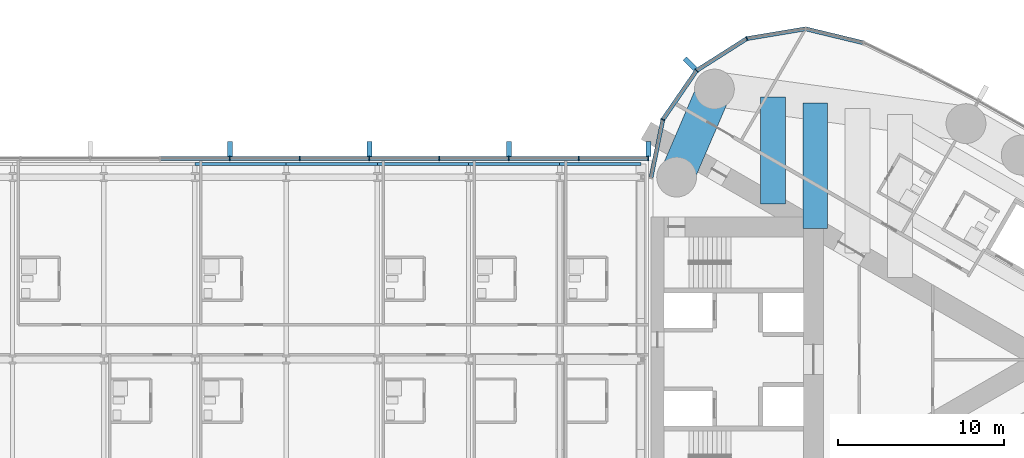
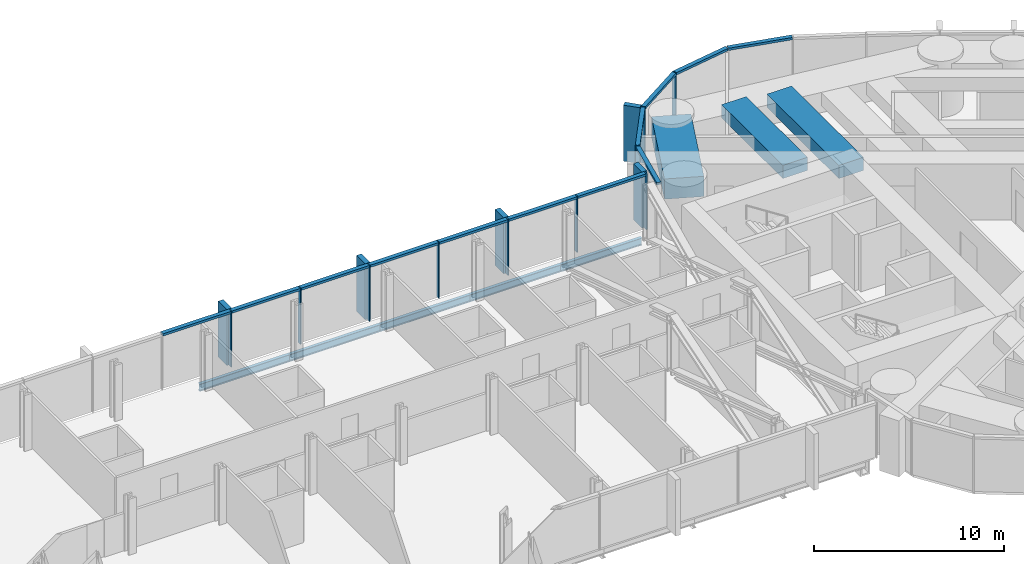
# One storey, part 11 of 24: 27 members, 8 beams, 2 elements without a shape of their own.
"""IFC4 building model written with IfcOpenShell, lengths in metres."""

from ifc_helpers import new_model, si_unit, direction, frame, origin, origin_2d, place, context, subcontext, project, spatial, rectangle, i_section, extrude, material, material_profile, profile_set, type_object, element, aggregate, save


model = new_model("IFC4")

# Units and contexts
model_context = context("Model", 3, precision=1e-05, world=origin(), true_north=direction((0.0, 1.0)))
body_context = subcontext(model_context, "Body", "Model", "MODEL_VIEW")
ifc_project = project(units=[si_unit("LENGTHUNIT", "METRE"), si_unit("AREAUNIT", "SQUARE_METRE"), si_unit("VOLUMEUNIT", "CUBIC_METRE"), si_unit("PLANEANGLEUNIT", "RADIAN"), si_unit("MASSUNIT", "GRAM", prefix="KILO")], contexts=[model_context])

# Site, building, storey
site_placement = place(None, origin())
site = spatial("IfcSite", under=ifc_project, at=site_placement, CompositionType="ELEMENT")
building_placement = place(site_placement, origin())
building = spatial("IfcBuilding", under=site, at=building_placement, Name="Lancet Gate Hotel", CompositionType="ELEMENT")
storey_placement = place(building_placement, frame((0.0, 0.0, 244.10009765625)))
storey = spatial("IfcBuildingStorey", under=building, at=storey_placement, Name="L65", CompositionType="ELEMENT", Elevation=244.10009765625)

# Curtain wall, members
ifc_material_1 = material(Name="Aluminium curtain wall", Category="aluminium")
curtain_wall_type_1 = type_object("IfcCurtainWallType", Name="Tower unitised curtain wall", PredefinedType="USERDEFINED", material=ifc_material_1)
curtain_wall_1_placement = place(storey_placement, origin())
curtain_wall_1 = element("IfcCurtainWall", 1, at=curtain_wall_1_placement, inside=storey, type_object=curtain_wall_type_1, Name="T2 L65 curtain wall 1", ObjectType="UNITISED CURTAIN WALL", PredefinedType="USERDEFINED")
ifc_material_2 = material(Name="Aluminium mullion", Category="aluminium")
ifc_material_profile_1 = material_profile(ifc_material_2, rectangle(XDim=0.06494140625, YDim=0.25, at=origin_2d()), Name="MULLION 65x250")
ifc_profile_set_1 = profile_set([ifc_material_profile_1], Name="Aluminium mullion")
member_type_1 = type_object("IfcMemberType", Name="Aluminium mullion 65x250", PredefinedType="MULLION", material=ifc_profile_set_1)
member_1_placement = place(storey_placement, frame((33.283203125, 19.353515625, 0.0), z_axis=(0.0, 0.0, 1.0), x_axis=(-0.93394321776, -0.357421412343, 0.0)))
member_1 = element("IfcMember", 2, at=member_1_placement, type_object=member_type_1, Name="T2 L65 curtain wall 1 mullion 24", PredefinedType="MULLION", context=body_context, shape_type="SweptSolid", body=[
    extrude(rectangle(XDim=0.06494140625, YDim=0.25, at=origin_2d()), origin(), (0.0, 0.0, 1.0), 3.599853515625),
])
member_2_placement = place(storey_placement, frame((30.25244140625, 17.42626953125, 0.0), z_axis=(0.0, 0.0, 1.0), x_axis=(-0.719809077627, -0.694172090886, 0.0)))
member_2 = element("IfcMember", 3, at=member_2_placement, type_object=member_type_1, Name="T2 L65 curtain wall 1 mullion 25", PredefinedType="MULLION", context=body_context, shape_type="SweptSolid", body=[
    extrude(rectangle(XDim=0.06494140625, YDim=0.25, at=origin_2d()), origin(), (0.0, 0.0, 1.0), 3.599853515625),
])
member_3_placement = place(storey_placement, frame((28.216552734375, 14.467529296875, 0.0), z_axis=(0.0, 0.0, 1.0), x_axis=(-0.391042139098, -0.920372775265, 0.0)))
member_3 = element("IfcMember", 4, at=member_3_placement, type_object=member_type_1, Name="T2 L65 curtain wall 1 mullion 26", PredefinedType="MULLION", context=body_context, shape_type="SweptSolid", body=[
    extrude(rectangle(XDim=0.06494140625, YDim=0.25, at=origin_2d()), origin(), (0.0, 0.0, 1.0), 3.599853515625),
])

ifc_material_3 = material(Name="Aluminium curtain wall", Category="aluminium")
curtain_wall_type_2 = type_object("IfcCurtainWallType", Name="Bridge block curtain wall", PredefinedType="USERDEFINED", material=ifc_material_3)
curtain_wall_2_placement = place(storey_placement, origin())
curtain_wall_2 = element("IfcCurtainWall", 5, at=curtain_wall_2_placement, inside=storey, type_object=curtain_wall_type_2, Name="Bridge block L65 curtain wall N", ObjectType="UNITISED CURTAIN WALL", PredefinedType="USERDEFINED")
member_4_placement = place(storey_placement, frame((27.35009765625, 12.1201171875, 0.0), z_axis=(0.0, 0.0, 1.0), x_axis=(-1.0, 0.0, 0.0)))
member_4 = element("IfcMember", 6, at=member_4_placement, type_object=member_type_1, Name="Bridge block L65 curtain wall N mullion 1", PredefinedType="MULLION", context=body_context, shape_type="SweptSolid", body=[
    extrude(rectangle(XDim=0.06494140625, YDim=0.25, at=origin_2d()), origin(), (0.0, 0.0, 1.0), 3.599853515625),
])
member_5_placement = place(storey_placement, frame((23.142333984375, 12.1201171875, 0.0), z_axis=(0.0, 0.0, 1.0), x_axis=(-1.0, 0.0, 0.0)))
member_5 = element("IfcMember", 7, at=member_5_placement, type_object=member_type_1, Name="Bridge block L65 curtain wall N mullion 2", PredefinedType="MULLION", context=body_context, shape_type="SweptSolid", body=[
    extrude(rectangle(XDim=0.06494140625, YDim=0.25, at=origin_2d()), origin(), (0.0, 0.0, 1.0), 3.599853515625),
])
member_6_placement = place(storey_placement, frame((18.9345703125, 12.1201171875, 0.0), z_axis=(0.0, 0.0, 1.0), x_axis=(-1.0, 0.0, 0.0)))
member_6 = element("IfcMember", 8, at=member_6_placement, type_object=member_type_1, Name="Bridge block L65 curtain wall N mullion 3", PredefinedType="MULLION", context=body_context, shape_type="SweptSolid", body=[
    extrude(rectangle(XDim=0.06494140625, YDim=0.25, at=origin_2d()), origin(), (0.0, 0.0, 1.0), 3.599853515625),
])
member_7_placement = place(storey_placement, frame((14.726806640625, 12.1201171875, 0.0), z_axis=(0.0, 0.0, 1.0), x_axis=(-1.0, 0.0, 0.0)))
member_7 = element("IfcMember", 9, at=member_7_placement, type_object=member_type_1, Name="Bridge block L65 curtain wall N mullion 4", PredefinedType="MULLION", context=body_context, shape_type="SweptSolid", body=[
    extrude(rectangle(XDim=0.06494140625, YDim=0.25, at=origin_2d()), origin(), (0.0, 0.0, 1.0), 3.599853515625),
])
member_8_placement = place(storey_placement, frame((10.519287109375, 12.1201171875, 0.0), z_axis=(0.0, 0.0, 1.0), x_axis=(-1.0, 0.0, 0.0)))
member_8 = element("IfcMember", 10, at=member_8_placement, type_object=member_type_1, Name="Bridge block L65 curtain wall N mullion 5", PredefinedType="MULLION", context=body_context, shape_type="SweptSolid", body=[
    extrude(rectangle(XDim=0.06494140625, YDim=0.25, at=origin_2d()), origin(), (0.0, 0.0, 1.0), 3.599853515625),
])
member_9_placement = place(storey_placement, frame((6.3115234375, 12.1201171875, 0.0), z_axis=(0.0, 0.0, 1.0), x_axis=(-1.0, 0.0, 0.0)))
member_9 = element("IfcMember", 11, at=member_9_placement, type_object=member_type_1, Name="Bridge block L65 curtain wall N mullion 6", PredefinedType="MULLION", context=body_context, shape_type="SweptSolid", body=[
    extrude(rectangle(XDim=0.06494140625, YDim=0.25, at=origin_2d()), origin(), (0.0, 0.0, 1.0), 3.599853515625),
])
member_10_placement = place(storey_placement, frame((2.103759765625, 12.1201171875, 0.0), z_axis=(0.0, 0.0, 1.0), x_axis=(-1.0, 0.0, 0.0)))
member_10 = element("IfcMember", 12, at=member_10_placement, type_object=member_type_1, Name="Bridge block L65 curtain wall N mullion 7", PredefinedType="MULLION", context=body_context, shape_type="SweptSolid", body=[
    extrude(rectangle(XDim=0.06494140625, YDim=0.25, at=origin_2d()), origin(), (0.0, 0.0, 1.0), 3.599853515625),
])

# Member
ifc_material_4 = material(Name="Aluminium transom", Category="aluminium")
ifc_material_profile_2 = material_profile(ifc_material_4, rectangle(XDim=0.25, YDim=0.14990234375, at=origin_2d()), Name="TRANSOM 250x150")
ifc_profile_set_2 = profile_set([ifc_material_profile_2], Name="Aluminium transom")
member_type_2 = type_object("IfcMemberType", Name="Aluminium transom 250x150", PredefinedType="USERDEFINED", material=ifc_profile_set_2)
member_11_placement = place(storey_placement, frame((40.28564453125, 19.10595703125, 3.52490234375), z_axis=(-0.972002653858, 0.234969872307, 0.0), x_axis=(-0.234969872307, -0.972002653858, 0.0)))
member_11 = element("IfcMember", 13, at=member_11_placement, type_object=member_type_2, Name="T2 L65 curtain wall 1 transom 22", ObjectType="TRANSOM", PredefinedType="USERDEFINED", context=body_context, shape_type="SweptSolid", body=[
    extrude(rectangle(XDim=0.25, YDim=0.14990234375, at=origin_2d()), origin(), (0.0, 0.0, 1.0), 3.5263671875),
])

member_12_placement = place(storey_placement, frame((36.794189453125, 19.936767578125, 3.52490234375), z_axis=(-0.986483584545, -0.163860115412, 0.0), x_axis=(0.163860115412, -0.986483584545, 0.0)))
member_12 = element("IfcMember", 14, at=member_12_placement, type_object=member_type_2, Name="T2 L65 curtain wall 1 transom 23", ObjectType="TRANSOM", PredefinedType="USERDEFINED", context=body_context, shape_type="SweptSolid", body=[
    extrude(rectangle(XDim=0.25, YDim=0.14990234375, at=origin_2d()), origin(), (0.0, 0.0, 1.0), 3.526611328125),
])

member_13_placement = place(storey_placement, frame((33.255859375, 19.336181640625, 3.52490234375), z_axis=(-0.84385811281, -0.536566384938, 0.0), x_axis=(0.536566384938, -0.84385811281, 0.0)))
member_13 = element("IfcMember", 15, at=member_13_placement, type_object=member_type_2, Name="T2 L65 curtain wall 1 transom 24", ObjectType="TRANSOM", PredefinedType="USERDEFINED", context=body_context, shape_type="SweptSolid", body=[
    extrude(rectangle(XDim=0.25, YDim=0.14990234375, at=origin_2d()), origin(), (0.0, 0.0, 1.0), 3.52685546875),
])

member_14_placement = place(storey_placement, frame((30.234130859375, 17.399658203125, 3.52490234375), z_axis=(-0.566813768052, -0.82384595183, 0.0), x_axis=(0.82384595183, -0.566813768052, 0.0)))
member_14 = element("IfcMember", 16, at=member_14_placement, type_object=member_type_2, Name="T2 L65 curtain wall 1 transom 25", ObjectType="TRANSOM", PredefinedType="USERDEFINED", context=body_context, shape_type="SweptSolid", body=[
    extrude(rectangle(XDim=0.25, YDim=0.14990234375, at=origin_2d()), origin(), (0.0, 0.0, 1.0), 3.52685546875),
])

member_15_placement = place(storey_placement, frame((28.210205078125, 14.435546875, 3.52490234375), z_axis=(-0.19952323725, -0.979893095086, 0.0), x_axis=(0.979893095086, -0.19952323725, 0.0)))
member_15 = element("IfcMember", 17, at=member_15_placement, type_object=member_type_2, Name="T2 L65 curtain wall 1 transom 26", ObjectType="TRANSOM", PredefinedType="USERDEFINED", context=body_context, shape_type="SweptSolid", body=[
    extrude(rectangle(XDim=0.25, YDim=0.14990234375, at=origin_2d()), origin(), (0.0, 0.0, 1.0), 3.5263671875),
])

member_16_placement = place(storey_placement, frame((27.3173828125, 12.1201171875, 3.52490234375), z_axis=(-1.0, 0.0, 0.0), x_axis=(0.0, -1.0, 0.0)))
member_16 = element("IfcMember", 18, at=member_16_placement, type_object=member_type_2, Name="Bridge block L65 curtain wall N transom 1", ObjectType="TRANSOM", PredefinedType="USERDEFINED", context=body_context, shape_type="SweptSolid", body=[
    extrude(rectangle(XDim=0.25, YDim=0.14990234375, at=origin_2d()), origin(), (0.0, 0.0, 1.0), 4.142578125),
])

member_17_placement = place(storey_placement, frame((23.10986328125, 12.1201171875, 3.52490234375), z_axis=(-1.0, 0.0, 0.0), x_axis=(0.0, -1.0, 0.0)))
member_17 = element("IfcMember", 19, at=member_17_placement, type_object=member_type_2, Name="Bridge block L65 curtain wall N transom 2", ObjectType="TRANSOM", PredefinedType="USERDEFINED", context=body_context, shape_type="SweptSolid", body=[
    extrude(rectangle(XDim=0.25, YDim=0.14990234375, at=origin_2d()), origin(), (0.0, 0.0, 1.0), 4.142822265625),
])

member_18_placement = place(storey_placement, frame((18.902099609375, 12.1201171875, 3.52490234375), z_axis=(-1.0, 0.0, 0.0), x_axis=(0.0, -1.0, 0.0)))
member_18 = element("IfcMember", 20, at=member_18_placement, type_object=member_type_2, Name="Bridge block L65 curtain wall N transom 3", ObjectType="TRANSOM", PredefinedType="USERDEFINED", context=body_context, shape_type="SweptSolid", body=[
    extrude(rectangle(XDim=0.25, YDim=0.14990234375, at=origin_2d()), origin(), (0.0, 0.0, 1.0), 4.142578125),
])

member_19_placement = place(storey_placement, frame((14.6943359375, 12.1201171875, 3.52490234375), z_axis=(-1.0, 0.0, 0.0), x_axis=(0.0, -1.0, 0.0)))
member_19 = element("IfcMember", 21, at=member_19_placement, type_object=member_type_2, Name="Bridge block L65 curtain wall N transom 4", ObjectType="TRANSOM", PredefinedType="USERDEFINED", context=body_context, shape_type="SweptSolid", body=[
    extrude(rectangle(XDim=0.25, YDim=0.14990234375, at=origin_2d()), origin(), (0.0, 0.0, 1.0), 4.142578125),
])

member_20_placement = place(storey_placement, frame((10.48681640625, 12.1201171875, 3.52490234375), z_axis=(-1.0, 0.0, 0.0), x_axis=(0.0, -1.0, 0.0)))
member_20 = element("IfcMember", 22, at=member_20_placement, type_object=member_type_2, Name="Bridge block L65 curtain wall N transom 5", ObjectType="TRANSOM", PredefinedType="USERDEFINED", context=body_context, shape_type="SweptSolid", body=[
    extrude(rectangle(XDim=0.25, YDim=0.14990234375, at=origin_2d()), origin(), (0.0, 0.0, 1.0), 4.142822265625),
])

member_21_placement = place(storey_placement, frame((6.279052734375, 12.1201171875, 3.52490234375), z_axis=(-1.0, 0.0, 0.0), x_axis=(0.0, -1.0, 0.0)))
member_21 = element("IfcMember", 23, at=member_21_placement, type_object=member_type_2, Name="Bridge block L65 curtain wall N transom 6", ObjectType="TRANSOM", PredefinedType="USERDEFINED", context=body_context, shape_type="SweptSolid", body=[
    extrude(rectangle(XDim=0.25, YDim=0.14990234375, at=origin_2d()), origin(), (0.0, 0.0, 1.0), 4.142822265625),
])

member_22_placement = place(storey_placement, frame((2.0712890625, 12.1201171875, 3.52490234375), z_axis=(-1.0, 0.0, 0.0), x_axis=(0.0, -1.0, 0.0)))
member_22 = element("IfcMember", 24, at=member_22_placement, type_object=member_type_2, Name="Bridge block L65 curtain wall N transom 7", ObjectType="TRANSOM", PredefinedType="USERDEFINED", context=body_context, shape_type="SweptSolid", body=[
    extrude(rectangle(XDim=0.25, YDim=0.14990234375, at=origin_2d()), origin(), (0.0, 0.0, 1.0), 4.142578125),
])

# Beams
ifc_material_5 = material(Name="Steel S355", Category="steel")
ifc_material_profile_3 = material_profile(ifc_material_5, i_section(OverallWidth=0.19140625, OverallDepth=0.4599609375, WebThickness=0.010009765625, FlangeThickness=0.01611328125, FilletRadius=0.01025390625, at=origin_2d()), Name="UKB 457x191x82")
ifc_profile_set_3 = profile_set([ifc_material_profile_3], Name="Steel S355")
beam_type_1 = type_object("IfcBeamType", Name="Block edge beam UKB 457x191x82", PredefinedType="SPANDREL", material=ifc_profile_set_3)
for number, where, z_axis, x_axis, name in (
    (25, (0.0, 11.800048828125, -0.43017578125), (1.0, 0.0, 0.0), (0.0, 1.0, 0.0), "Block edge beam N 5-6 L65"),
    (26, (5.5, 11.800048828125, -0.43017578125), (1.0, 0.0, 0.0), (0.0, 1.0, 0.0), "Block edge beam N 6-7 L65"),
    (27, (11.0, 11.800048828125, -0.43017578125), (1.0, 0.0, 0.0), (0.0, 1.0, 0.0), "Block edge beam N 7-8 L65"),
    (28, (16.5, 11.800048828125, -0.43017578125), (1.0, 0.0, 0.0), (0.0, 1.0, 0.0), "Block edge beam N 8-9 L65"),
):
    element("IfcBeam", number, at=place(storey_placement, frame(where, z_axis=z_axis, x_axis=x_axis)), inside=storey, type_object=beam_type_1, Name=name, PredefinedType="SPANDREL", context=body_context, shape_type="SweptSolid", body=[
        extrude(i_section(OverallWidth=0.19140625, OverallDepth=0.4599609375, WebThickness=0.010009765625, FlangeThickness=0.01611328125, FilletRadius=0.01025390625, at=origin_2d()), origin(), (0.0, 0.0, 1.0), 5.5),
    ])
beam_1_placement = place(storey_placement, frame((22.0, 11.800048828125, -0.43017578125), z_axis=(1.0, 0.0, 0.0), x_axis=(0.0, 1.0, 0.0)))
element("IfcBeam", 29, at=beam_1_placement, inside=storey, type_object=beam_type_1, Name="Block edge beam N 9-10 L65", PredefinedType="SPANDREL", context=body_context, shape_type="SweptSolid", body=[
    extrude(i_section(OverallWidth=0.19140625, OverallDepth=0.4599609375, WebThickness=0.010009765625, FlangeThickness=0.01611328125, FilletRadius=0.01025390625, at=origin_2d()), origin(), (0.0, 0.0, 1.0), 4.89990234375),
])
ifc_material_6 = material(Name="Concrete C50/60", Category="concrete")
ifc_material_profile_4 = material_profile(ifc_material_6, rectangle(XDim=2.10009765625, YDim=1.300048828125, at=origin_2d()), Name="RC 2100x1300")
ifc_profile_set_4 = profile_set([ifc_material_profile_4], Name="Concrete C50/60")
beam_type_2 = type_object("IfcBeamType", Name="Edge beam RC 2100x1300", PredefinedType="SPANDREL", material=ifc_profile_set_4)
beam_2_placement = place(storey_placement, frame((29.050048828125, 11.0, 2.699951171875), z_axis=(0.394250694824, 0.91900293233, 0.0), x_axis=(-0.91900293233, 0.394250694824, 0.0)))
element("IfcBeam", 30, at=beam_2_placement, inside=storey, type_object=beam_type_2, Name="T2 edge beam EB1 L65", PredefinedType="SPANDREL", context=body_context, shape_type="SweptSolid", body=[
    extrude(rectangle(XDim=2.10009765625, YDim=1.300048828125, at=origin_2d()), origin(), (0.0, 0.0, 1.0), 5.77880859375),
])

# Member
ifc_material_7 = material(Name="Precast concrete C50/60", Category="concrete")
ifc_material_profile_5 = material_profile(ifc_material_7, rectangle(XDim=0.300048828125, YDim=0.89990234375, at=origin_2d()), Name="FIN 300x900")
ifc_profile_set_5 = profile_set([ifc_material_profile_5], Name="Precast concrete C50/60")
member_type_3 = type_object("IfcMemberType", Name="Exposed concrete fin 300x900", PredefinedType="USERDEFINED", material=ifc_profile_set_5)
member_23_placement = place(storey_placement, frame((29.853271484375, 17.84033203125, 0.0), z_axis=(0.0, 0.0, 1.0), x_axis=(-0.719809077627, -0.694172090886, 0.0)))
member_23 = element("IfcMember", 31, at=member_23_placement, type_object=member_type_3, Name="T2 L65 curtain wall 1 fin 25", ObjectType="FIN", PredefinedType="USERDEFINED", context=body_context, shape_type="SweptSolid", body=[
    extrude(rectangle(XDim=0.300048828125, YDim=0.89990234375, at=origin_2d()), origin(), (0.0, 0.0, 1.0), 3.599853515625),
])

aggregate(curtain_wall_1, [member_1, member_2, member_23, member_3, member_11, member_12, member_13, member_14, member_15])

member_24_placement = place(storey_placement, frame((27.35009765625, 12.695068359375, 0.0), z_axis=(0.0, 0.0, 1.0), x_axis=(-1.0, 0.0, 0.0)))
member_24 = element("IfcMember", 32, at=member_24_placement, type_object=member_type_3, Name="Bridge block L65 curtain wall N fin 1", ObjectType="FIN", PredefinedType="USERDEFINED", context=body_context, shape_type="SweptSolid", body=[
    extrude(rectangle(XDim=0.300048828125, YDim=0.89990234375, at=origin_2d()), origin(), (0.0, 0.0, 1.0), 3.599853515625),
])

member_25_placement = place(storey_placement, frame((18.9345703125, 12.695068359375, 0.0), z_axis=(0.0, 0.0, 1.0), x_axis=(-1.0, 0.0, 0.0)))
member_25 = element("IfcMember", 33, at=member_25_placement, type_object=member_type_3, Name="Bridge block L65 curtain wall N fin 3", ObjectType="FIN", PredefinedType="USERDEFINED", context=body_context, shape_type="SweptSolid", body=[
    extrude(rectangle(XDim=0.300048828125, YDim=0.89990234375, at=origin_2d()), origin(), (0.0, 0.0, 1.0), 3.599853515625),
])

member_26_placement = place(storey_placement, frame((10.519287109375, 12.695068359375, 0.0), z_axis=(0.0, 0.0, 1.0), x_axis=(-1.0, 0.0, 0.0)))
member_26 = element("IfcMember", 34, at=member_26_placement, type_object=member_type_3, Name="Bridge block L65 curtain wall N fin 5", ObjectType="FIN", PredefinedType="USERDEFINED", context=body_context, shape_type="SweptSolid", body=[
    extrude(rectangle(XDim=0.300048828125, YDim=0.89990234375, at=origin_2d()), origin(), (0.0, 0.0, 1.0), 3.599853515625),
])

member_27_placement = place(storey_placement, frame((2.103759765625, 12.695068359375, 0.0), z_axis=(0.0, 0.0, 1.0), x_axis=(-1.0, 0.0, 0.0)))
member_27 = element("IfcMember", 35, at=member_27_placement, type_object=member_type_3, Name="Bridge block L65 curtain wall N fin 7", ObjectType="FIN", PredefinedType="USERDEFINED", context=body_context, shape_type="SweptSolid", body=[
    extrude(rectangle(XDim=0.300048828125, YDim=0.89990234375, at=origin_2d()), origin(), (0.0, 0.0, 1.0), 3.599853515625),
])

aggregate(curtain_wall_2, [member_4, member_24, member_5, member_6, member_25, member_7, member_8, member_26, member_9, member_10, member_27, member_16, member_17, member_18, member_19, member_20, member_21, member_22])

# Beams
ifc_material_8 = material(Name="Concrete C50/60", Category="concrete")
ifc_material_profile_6 = material_profile(ifc_material_8, rectangle(XDim=1.5, YDim=0.85009765625, at=origin_2d()), Name="RC 1500x850")
ifc_profile_set_6 = profile_set([ifc_material_profile_6], Name="Concrete C50/60")
beam_type_3 = type_object("IfcBeamType", Name="Floor beam RC 1500x850", PredefinedType="BEAM", material=ifc_profile_set_6)
beam_3_placement = place(storey_placement, frame((34.859619140625, 9.377685546875, 2.9248046875), z_axis=(0.0, 1.0, 0.0), x_axis=(-1.0, 0.0, 0.0)))
element("IfcBeam", 36, at=beam_3_placement, inside=storey, type_object=beam_type_3, Name="T2 floor beam F02N L65", PredefinedType="BEAM", context=body_context, shape_type="SweptSolid", body=[
    extrude(rectangle(XDim=1.5, YDim=0.85009765625, at=origin_2d()), origin(), (0.0, 0.0, 1.0), 6.44775390625),
])
beam_4_placement = place(storey_placement, frame((37.412841796875, 7.903564453125, 2.9248046875), z_axis=(0.0, 1.0, 0.0), x_axis=(-1.0, 0.0, 0.0)))
element("IfcBeam", 37, at=beam_4_placement, inside=storey, type_object=beam_type_3, Name="T2 floor beam F04N L65", PredefinedType="BEAM", context=body_context, shape_type="SweptSolid", body=[
    extrude(rectangle(XDim=1.5, YDim=0.85009765625, at=origin_2d()), origin(), (0.0, 0.0, 1.0), 7.57080078125),
])

save(model, "model.ifc")
